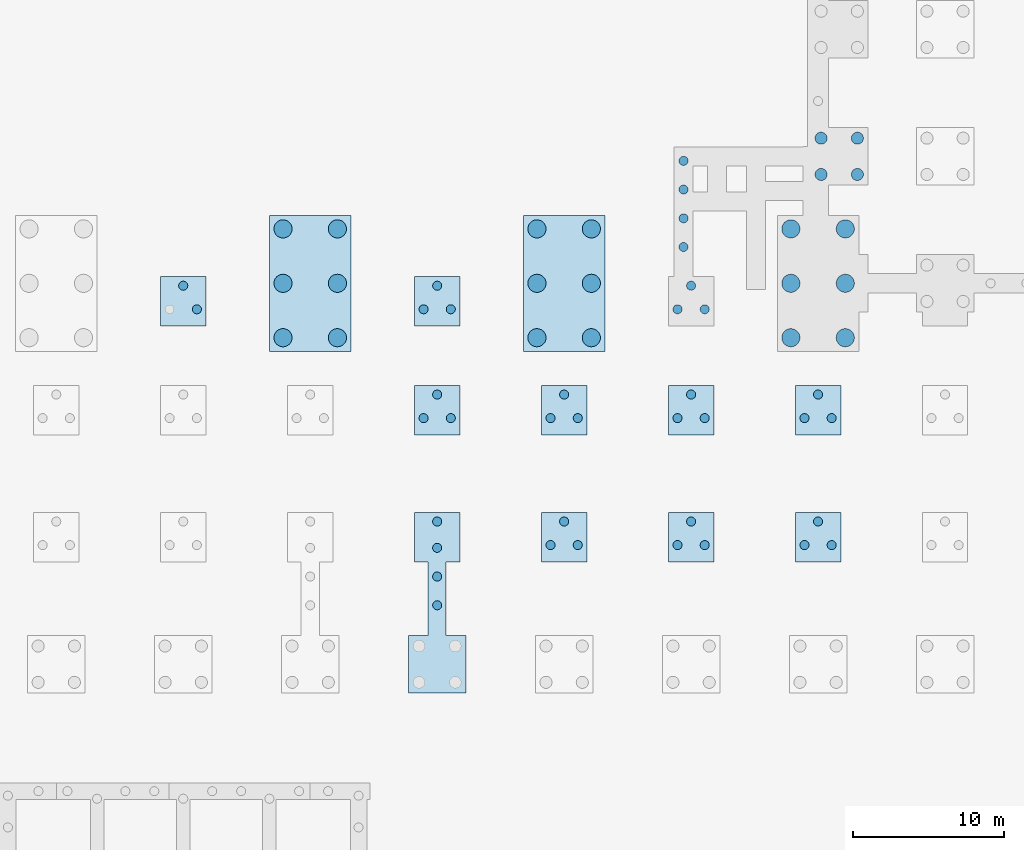
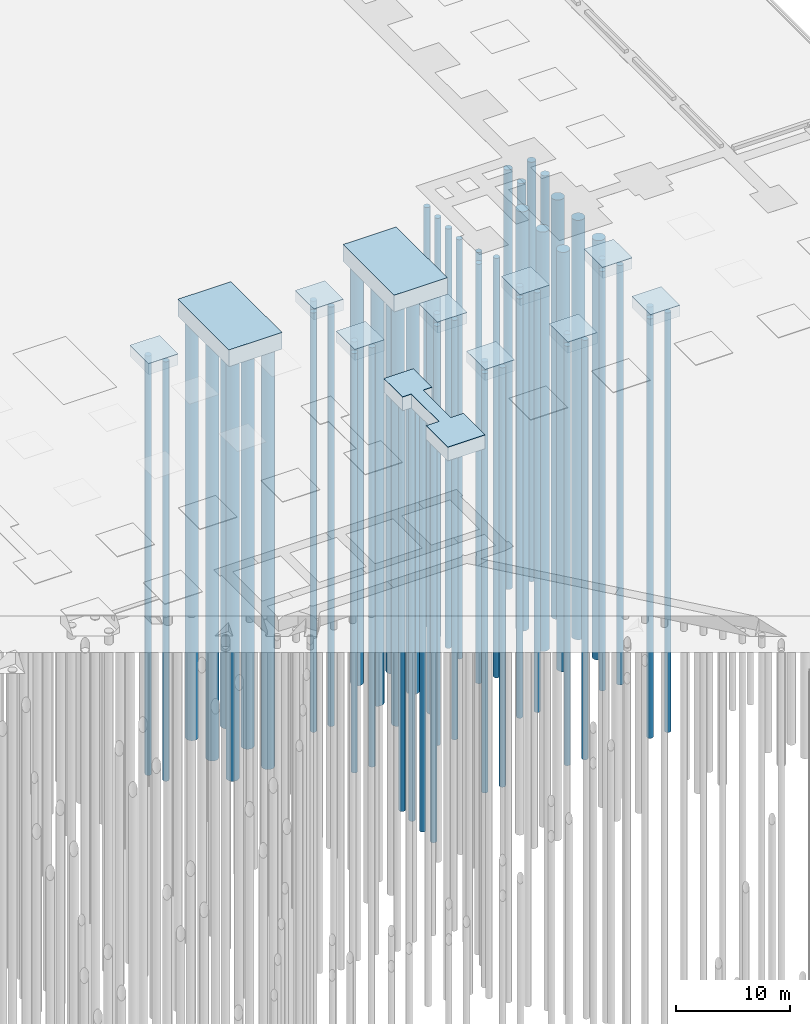
# One storey, part 12 of 67: 59 piles, 12 footings.
"""IFC4 building model written with IfcOpenShell, lengths in metres."""

from ifc_helpers import new_model, si_unit, direction, frame, origin, origin_2d, place, context, subcontext, project, spatial, polyline, circle, outline, extrude, material, material_profile, profile_set, type_object, element, save


model = new_model("IFC4")

# Units and contexts
model_context = context("Model", 3, precision=1e-05, world=origin(), true_north=direction((0.0, 1.0)))
body_context = subcontext(model_context, "Body", "Model", "MODEL_VIEW")
ifc_project = project(units=[si_unit("LENGTHUNIT", "METRE"), si_unit("AREAUNIT", "SQUARE_METRE"), si_unit("VOLUMEUNIT", "CUBIC_METRE"), si_unit("PLANEANGLEUNIT", "RADIAN"), si_unit("MASSUNIT", "GRAM", prefix="KILO")], contexts=[model_context])

# Site, building, storey
site_placement = place(None, origin())
site = spatial("IfcSite", under=ifc_project, at=site_placement, CompositionType="ELEMENT")
building_placement = place(site_placement, origin())
building = spatial("IfcBuilding", under=site, at=building_placement, Name="Rain Tree Exposition and Congress Centre", CompositionType="ELEMENT")
storey_placement = place(building_placement, frame((0.0, 0.0, -3.0)))
storey = spatial("IfcBuildingStorey", under=building, at=storey_placement, Name="B1", CompositionType="ELEMENT", Elevation=-3.0)

# Piles
ifc_material_1 = material(Name="Concrete C35/45", Category="concrete")
ifc_material_profile_1 = material_profile(ifc_material_1, circle(Radius=0.60009765625, at=origin_2d()), Name="D1200")
ifc_profile_set_1 = profile_set([ifc_material_profile_1], Name="Concrete C35/45")
pile_type_1 = type_object("IfcPileType", Name="Bored pile D1200", PredefinedType="BORED", material=ifc_profile_set_1)
for number, where, z_axis, x_axis, name in (
    (1, (241.800048828125, 97.199951171875, 0.92578125), (0.0, 0.0, -1.0), (1.0, 0.0, 0.0), "Bored pile 2036"),
    (2, (245.39990234375, 97.199951171875, 0.92578125), (0.0, 0.0, -1.0), (1.0, 0.0, 0.0), "Bored pile 2037"),
    (3, (241.800048828125, 100.800048828125, 0.92578125), (0.0, 0.0, -1.0), (1.0, 0.0, 0.0), "Bored pile 2038"),
    (4, (245.39990234375, 100.800048828125, 0.92578125), (0.0, 0.0, -1.0), (1.0, 0.0, 0.0), "Bored pile 2039"),
    (5, (241.800048828125, 104.39990234375, 0.92578125), (0.0, 0.0, -1.0), (1.0, 0.0, 0.0), "Bored pile 2040"),
    (6, (245.39990234375, 104.39990234375, 0.92578125), (0.0, 0.0, -1.0), (1.0, 0.0, 0.0), "Bored pile 2041"),
    (7, (208.199951171875, 97.199951171875, 0.92578125), (0.0, 0.0, -1.0), (1.0, 0.0, 0.0), "Bored pile 2147"),
    (8, (211.800048828125, 97.199951171875, 0.92578125), (0.0, 0.0, -1.0), (1.0, 0.0, 0.0), "Bored pile 2148"),
    (9, (208.199951171875, 100.800048828125, 0.92578125), (0.0, 0.0, -1.0), (1.0, 0.0, 0.0), "Bored pile 2149"),
    (10, (211.800048828125, 100.800048828125, 0.92578125), (0.0, 0.0, -1.0), (1.0, 0.0, 0.0), "Bored pile 2150"),
    (11, (208.199951171875, 104.39990234375, 0.92578125), (0.0, 0.0, -1.0), (1.0, 0.0, 0.0), "Bored pile 2151"),
    (12, (211.800048828125, 104.39990234375, 0.92578125), (0.0, 0.0, -1.0), (1.0, 0.0, 0.0), "Bored pile 2152"),
    (13, (225.0, 97.199951171875, 0.92578125), (0.0, 0.0, -1.0), (1.0, 0.0, 0.0), "Bored pile 2153"),
    (14, (228.60009765625, 97.199951171875, 0.92578125), (0.0, 0.0, -1.0), (1.0, 0.0, 0.0), "Bored pile 2154"),
    (15, (225.0, 100.800048828125, 0.92578125), (0.0, 0.0, -1.0), (1.0, 0.0, 0.0), "Bored pile 2155"),
    (16, (228.60009765625, 100.800048828125, 0.92578125), (0.0, 0.0, -1.0), (1.0, 0.0, 0.0), "Bored pile 2156"),
    (17, (225.0, 104.39990234375, 0.92578125), (0.0, 0.0, -1.0), (1.0, 0.0, 0.0), "Bored pile 2157"),
    (18, (228.60009765625, 104.39990234375, 0.92578125), (0.0, 0.0, -1.0), (1.0, 0.0, 0.0), "Bored pile 2158"),
):
    element("IfcPile", number, at=place(storey_placement, frame(where, z_axis=z_axis, x_axis=x_axis)), inside=storey, type_object=pile_type_1, Name=name, PredefinedType="BORED", context=body_context, shape_type="SweptSolid", body=[
        extrude(circle(Radius=0.60009765625, at=origin_2d()), origin(), (0.0, 0.0, 1.0), 45.074951171875),
    ])
ifc_material_2 = material(Name="Concrete C35/45", Category="concrete")
ifc_material_profile_2 = material_profile(ifc_material_2, circle(Radius=0.300048828125, at=origin_2d()), Name="D600")
ifc_profile_set_2 = profile_set([ifc_material_profile_2], Name="Concrete C35/45")
pile_type_2 = type_object("IfcPileType", Name="Bored pile D600", PredefinedType="BORED", material=ifc_profile_set_2)
for number, where, z_axis, x_axis, name in (
    (19, (234.300048828125, 99.080322265625, 0.92578125), (0.0, 0.0, -1.0), (1.0, 0.0, 0.0), "Bored pile 2097"),
    (20, (236.10009765625, 99.080322265625, 0.92578125), (0.0, 0.0, -1.0), (1.0, 0.0, 0.0), "Bored pile 2098"),
    (21, (235.199951171875, 100.639404296875, 0.92578125), (0.0, 0.0, -1.0), (1.0, 0.0, 0.0), "Bored pile 2099"),
    (22, (234.699951171875, 103.199951171875, 0.92578125), (0.0, 0.0, -1.0), (1.0, 0.0, 0.0), "Bored pile 2104"),
    (23, (234.699951171875, 105.10009765625, 0.92578125), (0.0, 0.0, -1.0), (1.0, 0.0, 0.0), "Bored pile 2105"),
    (24, (234.699951171875, 107.0, 0.92578125), (0.0, 0.0, -1.0), (1.0, 0.0, 0.0), "Bored pile 2106"),
    (25, (234.699951171875, 108.89990234375, 0.92578125), (0.0, 0.0, -1.0), (1.0, 0.0, 0.0), "Bored pile 2107"),
    (26, (202.5, 99.080322265625, 1.574951171875), (0.0, 0.0, -1.0), (1.0, 0.0, 0.0), "Bored pile 2354"),
    (27, (201.60009765625, 100.639404296875, 1.574951171875), (0.0, 0.0, -1.0), (1.0, 0.0, 0.0), "Bored pile 2355"),
    (28, (218.39990234375, 79.5, 1.27490234375), (0.0, 0.0, -1.0), (1.0, 0.0, 0.0), "Bored pile 2366"),
    (29, (218.39990234375, 81.39990234375, 1.27490234375), (0.0, 0.0, -1.0), (1.0, 0.0, 0.0), "Bored pile 2367"),
    (30, (218.39990234375, 83.300048828125, 1.27490234375), (0.0, 0.0, -1.0), (1.0, 0.0, 0.0), "Bored pile 2368"),
    (31, (218.39990234375, 85.039306640625, 1.27490234375), (0.0, 0.0, -1.0), (1.0, 0.0, 0.0), "Bored pile 2369"),
    (32, (234.300048828125, 83.480224609375, 1.574951171875), (0.0, 0.0, -1.0), (1.0, 0.0, 0.0), "Bored pile 2397"),
    (33, (236.10009765625, 83.480224609375, 1.574951171875), (0.0, 0.0, -1.0), (1.0, 0.0, 0.0), "Bored pile 2398"),
    (34, (235.199951171875, 85.039306640625, 1.574951171875), (0.0, 0.0, -1.0), (1.0, 0.0, 0.0), "Bored pile 2399"),
    (35, (225.89990234375, 83.480224609375, 1.574951171875), (0.0, 0.0, -1.0), (1.0, 0.0, 0.0), "Bored pile 2400"),
    (36, (227.699951171875, 83.480224609375, 1.574951171875), (0.0, 0.0, -1.0), (1.0, 0.0, 0.0), "Bored pile 2401"),
    (37, (226.800048828125, 85.039306640625, 1.574951171875), (0.0, 0.0, -1.0), (1.0, 0.0, 0.0), "Bored pile 2402"),
    (38, (242.699951171875, 83.480224609375, 1.574951171875), (0.0, 0.0, -1.0), (1.0, 0.0, 0.0), "Bored pile 2403"),
    (39, (244.5, 83.480224609375, 1.574951171875), (0.0, 0.0, -1.0), (1.0, 0.0, 0.0), "Bored pile 2404"),
    (40, (243.60009765625, 85.039306640625, 1.574951171875), (0.0, 0.0, -1.0), (1.0, 0.0, 0.0), "Bored pile 2405"),
    (41, (234.300048828125, 91.88037109375, 1.574951171875), (0.0, 0.0, -1.0), (1.0, 0.0, 0.0), "Bored pile 2409"),
    (42, (236.10009765625, 91.88037109375, 1.574951171875), (0.0, 0.0, -1.0), (1.0, 0.0, 0.0), "Bored pile 2410"),
    (43, (235.199951171875, 93.439208984375, 1.574951171875), (0.0, 0.0, -1.0), (1.0, 0.0, 0.0), "Bored pile 2411"),
    (44, (242.699951171875, 91.88037109375, 1.574951171875), (0.0, 0.0, -1.0), (1.0, 0.0, 0.0), "Bored pile 2412"),
    (45, (244.5, 91.88037109375, 1.574951171875), (0.0, 0.0, -1.0), (1.0, 0.0, 0.0), "Bored pile 2413"),
    (46, (243.60009765625, 93.439208984375, 1.574951171875), (0.0, 0.0, -1.0), (1.0, 0.0, 0.0), "Bored pile 2414"),
    (47, (225.89990234375, 91.88037109375, 1.574951171875), (0.0, 0.0, -1.0), (1.0, 0.0, 0.0), "Bored pile 2415"),
    (48, (227.699951171875, 91.88037109375, 1.574951171875), (0.0, 0.0, -1.0), (1.0, 0.0, 0.0), "Bored pile 2416"),
    (49, (226.800048828125, 93.439208984375, 1.574951171875), (0.0, 0.0, -1.0), (1.0, 0.0, 0.0), "Bored pile 2417"),
    (50, (217.5, 91.88037109375, 1.574951171875), (0.0, 0.0, -1.0), (1.0, 0.0, 0.0), "Bored pile 2421"),
    (51, (219.300048828125, 91.88037109375, 1.574951171875), (0.0, 0.0, -1.0), (1.0, 0.0, 0.0), "Bored pile 2422"),
    (52, (218.39990234375, 93.439208984375, 1.574951171875), (0.0, 0.0, -1.0), (1.0, 0.0, 0.0), "Bored pile 2423"),
    (53, (217.5, 99.080322265625, 1.574951171875), (0.0, 0.0, -1.0), (1.0, 0.0, 0.0), "Bored pile 2424"),
    (54, (219.300048828125, 99.080322265625, 1.574951171875), (0.0, 0.0, -1.0), (1.0, 0.0, 0.0), "Bored pile 2425"),
    (55, (218.39990234375, 100.639404296875, 1.574951171875), (0.0, 0.0, -1.0), (1.0, 0.0, 0.0), "Bored pile 2426"),
):
    element("IfcPile", number, at=place(storey_placement, frame(where, z_axis=z_axis, x_axis=x_axis)), inside=storey, type_object=pile_type_2, Name=name, PredefinedType="BORED", context=body_context, shape_type="SweptSolid", body=[
        extrude(circle(Radius=0.300048828125, at=origin_2d()), origin(), (0.0, 0.0, 1.0), 45.074951171875),
    ])
ifc_material_3 = material(Name="Concrete C35/45", Category="concrete")
ifc_material_profile_3 = material_profile(ifc_material_3, circle(Radius=0.39990234375, at=origin_2d()), Name="D800")
ifc_profile_set_3 = profile_set([ifc_material_profile_3], Name="Concrete C35/45")
pile_type_3 = type_object("IfcPileType", Name="Bored pile D800", PredefinedType="BORED", material=ifc_profile_set_3)
for number, where, z_axis, x_axis, name in (
    (56, (243.800048828125, 108.0, 0.92578125), (0.0, 0.0, -1.0), (1.0, 0.0, 0.0), "Bored pile 2046"),
    (57, (246.199951171875, 108.0, 0.92578125), (0.0, 0.0, -1.0), (1.0, 0.0, 0.0), "Bored pile 2047"),
    (58, (243.800048828125, 110.39990234375, 0.92578125), (0.0, 0.0, -1.0), (1.0, 0.0, 0.0), "Bored pile 2048"),
    (59, (246.199951171875, 110.39990234375, 0.92578125), (0.0, 0.0, -1.0), (1.0, 0.0, 0.0), "Bored pile 2049"),
):
    element("IfcPile", number, at=place(storey_placement, frame(where, z_axis=z_axis, x_axis=x_axis)), inside=storey, type_object=pile_type_3, Name=name, PredefinedType="BORED", context=body_context, shape_type="SweptSolid", body=[
        extrude(circle(Radius=0.39990234375, at=origin_2d()), origin(), (0.0, 0.0, 1.0), 45.074951171875),
    ])

# Footings
ifc_material_4 = material(Name="Concrete C35/45", Category="concrete")
footing_type_1 = type_object("IfcFootingType", Name="Pile cap 1200 thick", PredefinedType="PILE_CAP", material=ifc_material_4)
footing_1_placement = place(storey_placement, frame((0.0, 0.0, 1.5)))
element("IfcFooting", 60, at=footing_1_placement, inside=storey, type_object=footing_type_1, Name="Pile cap 362", PredefinedType="PILE_CAP", context=body_context, shape_type="SweptSolid", body=[
    extrude(outline(polyline([(203.10009765625, 97.960693359375), (203.10009765625, 101.2392578125), (200.10009765625, 101.2392578125), (200.10009765625, 97.960693359375), (203.10009765625, 97.960693359375)])), origin(), (0.0, 0.0, 1.0), 1.199951171875),
])
footing_2_placement = place(storey_placement, frame((0.0, 0.0, 1.5)))
element("IfcFooting", 61, at=footing_2_placement, inside=storey, type_object=footing_type_1, Name="Pile cap 369", PredefinedType="PILE_CAP", context=body_context, shape_type="SweptSolid", body=[
    extrude(outline(polyline([(236.699951171875, 82.360595703125), (236.699951171875, 85.639404296875), (233.699951171875, 85.639404296875), (233.699951171875, 82.360595703125), (236.699951171875, 82.360595703125)])), origin(), (0.0, 0.0, 1.0), 1.199951171875),
])
footing_3_placement = place(storey_placement, frame((0.0, 0.0, 1.5)))
element("IfcFooting", 62, at=footing_3_placement, inside=storey, type_object=footing_type_1, Name="Pile cap 370", PredefinedType="PILE_CAP", context=body_context, shape_type="SweptSolid", body=[
    extrude(outline(polyline([(228.300048828125, 82.360595703125), (228.300048828125, 85.639404296875), (225.300048828125, 85.639404296875), (225.300048828125, 82.360595703125), (228.300048828125, 82.360595703125)])), origin(), (0.0, 0.0, 1.0), 1.199951171875),
])
footing_4_placement = place(storey_placement, frame((0.0, 0.0, 1.5)))
element("IfcFooting", 63, at=footing_4_placement, inside=storey, type_object=footing_type_1, Name="Pile cap 371", PredefinedType="PILE_CAP", context=body_context, shape_type="SweptSolid", body=[
    extrude(outline(polyline([(245.10009765625, 82.360595703125), (245.10009765625, 85.639404296875), (242.10009765625, 85.639404296875), (242.10009765625, 82.360595703125), (245.10009765625, 82.360595703125)])), origin(), (0.0, 0.0, 1.0), 1.199951171875),
])
footing_5_placement = place(storey_placement, frame((0.0, 0.0, 1.5)))
element("IfcFooting", 64, at=footing_5_placement, inside=storey, type_object=footing_type_1, Name="Pile cap 373", PredefinedType="PILE_CAP", context=body_context, shape_type="SweptSolid", body=[
    extrude(outline(polyline([(236.699951171875, 90.7607421875), (236.699951171875, 94.039306640625), (233.699951171875, 94.039306640625), (233.699951171875, 90.7607421875), (236.699951171875, 90.7607421875)])), origin(), (0.0, 0.0, 1.0), 1.199951171875),
])
footing_6_placement = place(storey_placement, frame((0.0, 0.0, 1.5)))
element("IfcFooting", 65, at=footing_6_placement, inside=storey, type_object=footing_type_1, Name="Pile cap 374", PredefinedType="PILE_CAP", context=body_context, shape_type="SweptSolid", body=[
    extrude(outline(polyline([(245.10009765625, 90.7607421875), (245.10009765625, 94.039306640625), (242.10009765625, 94.039306640625), (242.10009765625, 90.7607421875), (245.10009765625, 90.7607421875)])), origin(), (0.0, 0.0, 1.0), 1.199951171875),
])
footing_7_placement = place(storey_placement, frame((0.0, 0.0, 1.5)))
element("IfcFooting", 66, at=footing_7_placement, inside=storey, type_object=footing_type_1, Name="Pile cap 375", PredefinedType="PILE_CAP", context=body_context, shape_type="SweptSolid", body=[
    extrude(outline(polyline([(228.300048828125, 90.7607421875), (228.300048828125, 94.039306640625), (225.300048828125, 94.039306640625), (225.300048828125, 90.7607421875), (228.300048828125, 90.7607421875)])), origin(), (0.0, 0.0, 1.0), 1.199951171875),
])
footing_8_placement = place(storey_placement, frame((0.0, 0.0, 1.5)))
element("IfcFooting", 67, at=footing_8_placement, inside=storey, type_object=footing_type_1, Name="Pile cap 377", PredefinedType="PILE_CAP", context=body_context, shape_type="SweptSolid", body=[
    extrude(outline(polyline([(219.89990234375, 90.7607421875), (219.89990234375, 94.039306640625), (216.89990234375, 94.039306640625), (216.89990234375, 90.7607421875), (219.89990234375, 90.7607421875)])), origin(), (0.0, 0.0, 1.0), 1.199951171875),
])
footing_9_placement = place(storey_placement, frame((0.0, 0.0, 1.5)))
element("IfcFooting", 68, at=footing_9_placement, inside=storey, type_object=footing_type_1, Name="Pile cap 378", PredefinedType="PILE_CAP", context=body_context, shape_type="SweptSolid", body=[
    extrude(outline(polyline([(219.89990234375, 97.960693359375), (219.89990234375, 101.2392578125), (216.89990234375, 101.2392578125), (216.89990234375, 97.960693359375), (219.89990234375, 97.960693359375)])), origin(), (0.0, 0.0, 1.0), 1.199951171875),
])
ifc_material_5 = material(Name="Concrete C35/45", Category="concrete")
footing_type_2 = type_object("IfcFootingType", Name="Pile cap 1800 thick", PredefinedType="PILE_CAP", material=ifc_material_5)
footing_10_placement = place(storey_placement, frame((0.0, 0.0, 0.8505859375)))
element("IfcFooting", 69, at=footing_10_placement, inside=storey, type_object=footing_type_2, Name="Pile cap 313", PredefinedType="PILE_CAP", context=body_context, shape_type="SweptSolid", body=[
    extrude(outline(polyline([(207.300048828125, 96.300048828125), (212.699951171875, 96.300048828125), (212.699951171875, 105.300048828125), (207.300048828125, 105.300048828125), (207.300048828125, 96.300048828125)])), origin(), (0.0, 0.0, 1.0), 1.800048828125),
])
footing_11_placement = place(storey_placement, frame((0.0, 0.0, 0.8505859375)))
element("IfcFooting", 70, at=footing_11_placement, inside=storey, type_object=footing_type_2, Name="Pile cap 314", PredefinedType="PILE_CAP", context=body_context, shape_type="SweptSolid", body=[
    extrude(outline(polyline([(224.10009765625, 96.300048828125), (229.5, 96.300048828125), (229.5, 105.300048828125), (224.10009765625, 105.300048828125), (224.10009765625, 96.300048828125)])), origin(), (0.0, 0.0, 1.0), 1.800048828125),
])
ifc_material_6 = material(Name="Concrete C35/45", Category="concrete")
footing_type_3 = type_object("IfcFootingType", Name="Strip footing 1500 thick", PredefinedType="STRIP_FOOTING", material=ifc_material_6)
footing_12_placement = place(storey_placement, frame((0.0, 0.0, 1.199951171875)))
element("IfcFooting", 71, at=footing_12_placement, inside=storey, type_object=footing_type_3, Name="Strip footing 100", PredefinedType="STRIP_FOOTING", context=body_context, shape_type="SweptSolid", body=[
    extrude(outline(polyline([(220.300048828125, 77.5), (219.0, 77.5), (219.0, 82.360595703125), (219.89990234375, 82.360595703125), (219.89990234375, 85.639404296875), (216.89990234375, 85.639404296875), (216.89990234375, 82.360595703125), (217.800048828125, 82.360595703125), (217.800048828125, 77.5), (216.5, 77.5), (216.5, 73.699951171875), (220.300048828125, 73.699951171875), (220.300048828125, 77.5)])), origin(), (0.0, 0.0, 1.0), 1.5),
])

save(model, "model.ifc")
